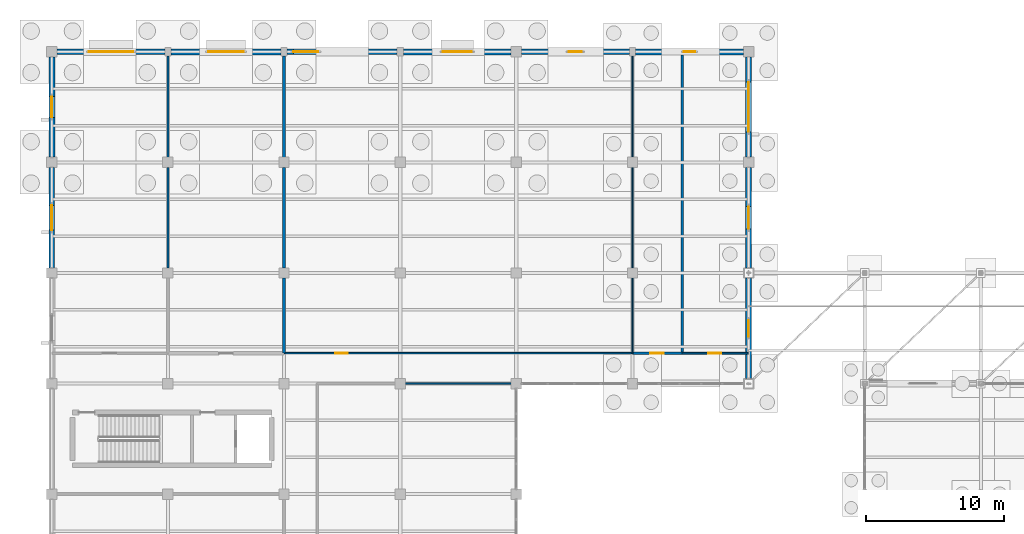
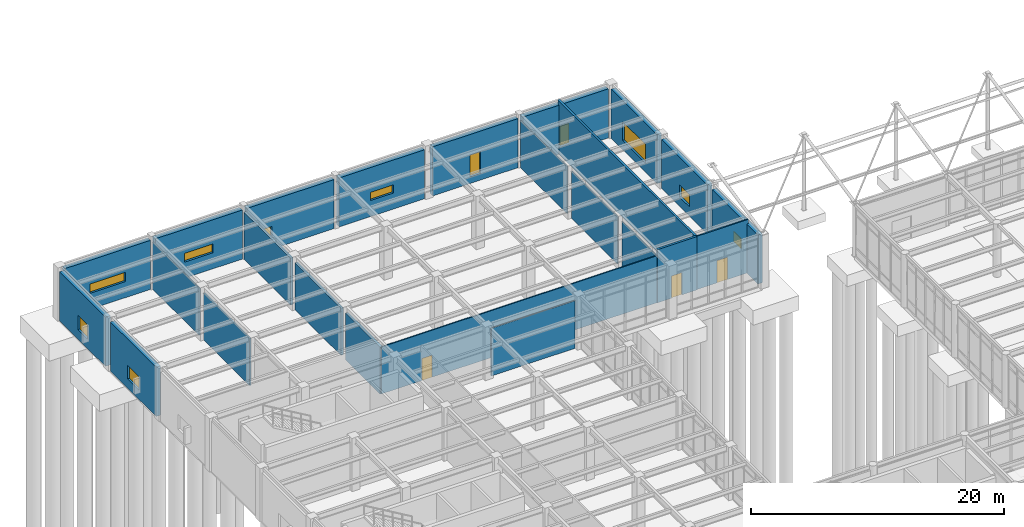
# One storey, part 82 of 138: 24 walls, 10 windows, 4 doors, 14 openings.
"""IFC4 building model written with IfcOpenShell, lengths in metres."""

from ifc_helpers import new_model, si_unit, direction, frame, frame_2d, origin, place, context, subcontext, project, spatial, rectangle, extrude, material, layer, layer_set, type_object, element, fill, save


model = new_model("IFC4")

# Units and contexts
model_context = context("Model", 3, precision=1e-05, world=origin(), true_north=direction((0.0, 1.0)))
body_context = subcontext(model_context, "Body", "Model", "MODEL_VIEW")
ifc_project = project(units=[si_unit("LENGTHUNIT", "METRE"), si_unit("AREAUNIT", "SQUARE_METRE"), si_unit("VOLUMEUNIT", "CUBIC_METRE"), si_unit("PLANEANGLEUNIT", "RADIAN"), si_unit("MASSUNIT", "GRAM", prefix="KILO")], contexts=[model_context])

# Site, building, storey
site_placement = place(None, origin())
site = spatial("IfcSite", under=ifc_project, at=site_placement, CompositionType="ELEMENT")
building_placement = place(site_placement, origin())
building = spatial("IfcBuilding", under=site, at=building_placement, Name="Kranzveld Transit Interchange", CompositionType="ELEMENT")
storey_placement = place(building_placement, origin())
storey = spatial("IfcBuildingStorey", under=building, at=storey_placement, Name="L00", CompositionType="ELEMENT", Elevation=0.0)

# Wall, opening, window
ifc_material_1 = material(Name="Dark Pretoria clinker clay plinth brick, 40 MPa", Category="masonry")
ifc_layer_1 = layer(ifc_material_1, 0.409912109375)
ifc_layer_set_1 = layer_set([ifc_layer_1], Name="Dark Pretoria clinker clay plinth brick, 40 MPa")
wall_type_1 = type_object("IfcWallType", Name="Exterior Arcade Wall Dark Clinker 410", PredefinedType="SOLIDWALL", material=ifc_layer_set_1)
wall_1_placement = place(storey_placement, frame((0.0, 96.375, 0.0), z_axis=(0.0, 0.0, 1.0), x_axis=(0.0, 1.0, 0.0)))
wall_1 = element("IfcWall", 1, at=wall_1_placement, inside=storey, type_object=wall_type_1, Name="L00 Clinker Facade Wall 01/N-01/P", PredefinedType="SOLIDWALL", context=body_context, shape_type="SweptSolid", body=[
    extrude(rectangle(XDim=7.25, YDim=0.409912109375, at=frame_2d((3.625, 0.0))), origin(), (0.0, 0.0, 1.0), 4.747314453125),
])
opening_1_placement = place(wall_1_placement, frame((2.72509765625, 0.0, 0.89990234375), z_axis=(0.0, 0.0, 1.0), x_axis=(1.0, 0.0, 0.0)))
opening_1 = element("IfcOpeningElement", 2, at=opening_1_placement, cuts=wall_1, Name="Opening W-12", PredefinedType="OPENING", context=body_context, shape_type="SweptSolid", body=[
    extrude(rectangle(XDim=1.800048828125, YDim=1.300048828125, at=frame_2d((0.89990234375, 0.64990234375))), frame((0.0, 0.21484375, 0.0), z_axis=(0.0, -1.0, 0.0), x_axis=(1.0, 0.0, 0.0)), (0.0, 0.0, 1.0), 0.429931640625),
])
ifc_material_2 = material(Name="Solar-control double glazing", Category="glass")
window_type_1 = type_object("IfcWindowType", Name="Window Studio Double 1800x1300", PartitioningType="DOUBLE_PANEL_VERTICAL", PredefinedType="WINDOW", material=ifc_material_2)
window_1_placement = place(opening_1_placement, origin())
window_1 = element("IfcWindow", 3, at=window_1_placement, inside=storey, type_object=window_type_1, Name="L00 Facade Window 01/N", OverallHeight=1.300048828125, OverallWidth=1.800048828125, PartitioningType="DOUBLE_PANEL_VERTICAL", PredefinedType="WINDOW", context=body_context, shape_type="SweptSolid", body=[
    extrude(rectangle(XDim=1.800048828125, YDim=1.300048828125, at=frame_2d((0.89990234375, 0.64990234375))), frame((0.0, 0.030029296875, 0.0), z_axis=(0.0, -1.0, 0.0), x_axis=(1.0, 0.0, 0.0)), (0.0, 0.0, 1.0), 0.06005859375),
])
fill(opening_1, window_1)

wall_2_placement = place(storey_placement, frame((0.375, 112.0, 0.0), z_axis=(0.0, 0.0, 1.0), x_axis=(1.0, 0.0, 0.0)))
wall_2 = element("IfcWall", 4, at=wall_2_placement, inside=storey, type_object=wall_type_1, Name="L00 Clinker Facade Wall 01/Q-02/Q", PredefinedType="SOLIDWALL", context=body_context, shape_type="SweptSolid", body=[
    extrude(rectangle(XDim=7.800048828125, YDim=0.409912109375, at=frame_2d((3.89990234375, 0.0))), origin(), (0.0, 0.0, 1.0), 4.740478515625),
])
opening_2_placement = place(wall_2_placement, frame((2.300048828125, 0.0, 1.550048828125), z_axis=(0.0, 0.0, 1.0), x_axis=(1.0, 0.0, 0.0)))
opening_2 = element("IfcOpeningElement", 5, at=opening_2_placement, cuts=wall_2, Name="Opening W-14", PredefinedType="OPENING", context=body_context, shape_type="SweptSolid", body=[
    extrude(rectangle(XDim=3.199951171875, YDim=0.89990234375, at=frame_2d((1.60009765625, 0.449951171875))), frame((0.0, 0.21484375, 0.0), z_axis=(0.0, -1.0, 0.0), x_axis=(1.0, 0.0, 0.0)), (0.0, 0.0, 1.0), 0.429931640625),
])
ifc_material_3 = material(Name="Solar-control double glazing", Category="glass")
window_type_2 = type_object("IfcWindowType", Name="Window Clerestory 3200x900", PartitioningType="TRIPLE_PANEL_HORIZONTAL", PredefinedType="WINDOW", material=ifc_material_3)
window_2_placement = place(opening_2_placement, origin())
window_2 = element("IfcWindow", 6, at=window_2_placement, inside=storey, type_object=window_type_2, Name="L00 Facade Window 01/Q", OverallHeight=0.89990234375, OverallWidth=3.199951171875, PartitioningType="TRIPLE_PANEL_HORIZONTAL", PredefinedType="WINDOW", context=body_context, shape_type="SweptSolid", body=[
    extrude(rectangle(XDim=3.199951171875, YDim=0.89990234375, at=frame_2d((1.60009765625, 0.449951171875))), frame((0.0, 0.030029296875, 0.0), z_axis=(0.0, -1.0, 0.0), x_axis=(1.0, 0.0, 0.0)), (0.0, 0.0, 1.0), 0.06005859375),
])
fill(opening_2, window_2)

# Wall, opening, door
wall_3_placement = place(storey_placement, frame((17.02490234375, 112.0, 0.0), z_axis=(0.0, 0.0, 1.0), x_axis=(1.0, 0.0, 0.0)))
wall_3 = element("IfcWall", 7, at=wall_3_placement, inside=storey, type_object=wall_type_1, Name="L00 Clinker Facade Wall 03/Q-04/Q", PredefinedType="SOLIDWALL", context=body_context, shape_type="SweptSolid", body=[
    extrude(rectangle(XDim=7.9501953125, YDim=0.409912109375, at=frame_2d((3.97509765625, 0.0))), origin(), (0.0, 0.0, 1.0), 4.740478515625),
])
opening_3_placement = place(wall_3_placement, frame((0.449951171875, 0.0, 0.0), z_axis=(0.0, 0.0, 1.0), x_axis=(1.0, 0.0, 0.0)))
opening_3 = element("IfcOpeningElement", 8, at=opening_3_placement, cuts=wall_3, Name="Opening ED-00-03", PredefinedType="OPENING", context=body_context, shape_type="SweptSolid", body=[
    extrude(rectangle(XDim=1.800048828125, YDim=2.199951171875, at=frame_2d((0.89990234375, 1.10009765625))), frame((0.0, 0.21484375, 0.0), z_axis=(0.0, -1.0, 0.0), x_axis=(1.0, 0.0, 0.0)), (0.0, 0.0, 1.0), 0.429931640625),
])
ifc_material_4 = material(Name="Bronze-anodised thermally broken aluminium", Category="aluminium")
door_type_1 = type_object("IfcDoorType", Name="Final Exit Double Fire Door 1800x2200 FD60S", OperationType="NOTDEFINED", PredefinedType="DOOR", material=ifc_material_4)
door_1_placement = place(opening_3_placement, origin())
door_1 = element("IfcDoor", 9, at=door_1_placement, inside=storey, type_object=door_type_1, Name="L00 Entrance/Exit Door 03/Q", OperationType="DOUBLE_DOOR_SINGLE_SWING", OverallHeight=2.199951171875, OverallWidth=1.800048828125, PredefinedType="DOOR", context=body_context, shape_type="SweptSolid", body=[
    extrude(rectangle(XDim=1.800048828125, YDim=2.199951171875, at=frame_2d((0.89990234375, 1.10009765625))), frame((0.0, 0.02490234375, 0.0), z_axis=(0.0, -1.0, 0.0), x_axis=(1.0, 0.0, 0.0)), (0.0, 0.0, 1.0), 0.050048828125),
])
fill(opening_3, door_1)

# Wall, opening, window
wall_4_placement = place(storey_placement, frame((33.97509765625, 112.0, 0.0), z_axis=(0.0, 0.0, 1.0), x_axis=(1.0, 0.0, 0.0)))
wall_4 = element("IfcWall", 10, at=wall_4_placement, inside=storey, type_object=wall_type_1, Name="L00 Clinker Facade Wall 05/Q-06/Q", PredefinedType="SOLIDWALL", context=body_context, shape_type="SweptSolid", body=[
    extrude(rectangle(XDim=7.7998046875, YDim=0.409912109375, at=frame_2d((3.89990234375, 0.0))), origin(), (0.0, 0.0, 1.0), 4.740478515625),
])
opening_4_placement = place(wall_4_placement, frame((3.425048828125, 0.0, 0.64990234375), z_axis=(0.0, 0.0, 1.0), x_axis=(1.0, 0.0, 0.0)))
opening_4 = element("IfcOpeningElement", 11, at=opening_4_placement, cuts=wall_4, Name="Opening W-17", PredefinedType="OPENING", context=body_context, shape_type="SweptSolid", body=[
    extrude(rectangle(XDim=0.949951171875, YDim=2.10009765625, at=frame_2d((0.47509765625, 1.050048828125))), frame((0.0, 0.21484375, 0.0), z_axis=(0.0, -1.0, 0.0), x_axis=(1.0, 0.0, 0.0)), (0.0, 0.0, 1.0), 0.429931640625),
])
ifc_material_5 = material(Name="Solar-control double glazing", Category="glass")
window_type_3 = type_object("IfcWindowType", Name="Window Ladder Slot 950x2100", PartitioningType="SINGLE_PANEL", PredefinedType="WINDOW", material=ifc_material_5)
window_3_placement = place(opening_4_placement, origin())
window_3 = element("IfcWindow", 12, at=window_3_placement, inside=storey, type_object=window_type_3, Name="L00 Facade Window 05/Q", OverallHeight=2.10009765625, OverallWidth=0.949951171875, PartitioningType="SINGLE_PANEL", PredefinedType="WINDOW", context=body_context, shape_type="SweptSolid", body=[
    extrude(rectangle(XDim=0.949951171875, YDim=2.10009765625, at=frame_2d((0.47509765625, 1.050048828125))), frame((0.0, 0.030029296875, 0.0), z_axis=(0.0, -1.0, 0.0), x_axis=(1.0, 0.0, 0.0)), (0.0, 0.0, 1.0), 0.06005859375),
])
fill(opening_4, window_3)

wall_5_placement = place(storey_placement, frame((50.39990234375, 88.375, 0.0), z_axis=(0.0, 0.0, 1.0), x_axis=(0.0, 1.0, 0.0)))
wall_5 = element("IfcWall", 13, at=wall_5_placement, inside=storey, type_object=wall_type_1, Name="L00 Clinker Facade Wall 07/M-07/N", PredefinedType="SOLIDWALL", context=body_context, shape_type="SweptSolid", body=[
    extrude(rectangle(XDim=7.25, YDim=0.409912109375, at=frame_2d((3.625, 0.0))), origin(), (0.0, 0.0, 1.0), 4.747314453125),
])
opening_5_placement = place(wall_5_placement, frame((3.02490234375, 0.0, 1.550048828125), z_axis=(0.0, 0.0, 1.0), x_axis=(1.0, 0.0, 0.0)))
opening_5 = element("IfcOpeningElement", 14, at=opening_5_placement, cuts=wall_5, Name="Opening W-19", PredefinedType="OPENING", context=body_context, shape_type="SweptSolid", body=[
    extrude(rectangle(XDim=1.199951171875, YDim=0.949951171875, at=frame_2d((0.60009765625, 0.47509765625))), frame((0.0, 0.21484375, 0.0), z_axis=(0.0, -1.0, 0.0), x_axis=(1.0, 0.0, 0.0)), (0.0, 0.0, 1.0), 0.429931640625),
])
ifc_material_6 = material(Name="Solar-control double glazing", Category="glass")
window_type_4 = type_object("IfcWindowType", Name="Window Sanitary Frosted 1200x950", PartitioningType="SINGLE_PANEL", PredefinedType="WINDOW", material=ifc_material_6)
window_4_placement = place(opening_5_placement, origin())
window_4 = element("IfcWindow", 15, at=window_4_placement, inside=storey, type_object=window_type_4, Name="L00 Facade Window 07/M", OverallHeight=0.949951171875, OverallWidth=1.199951171875, PartitioningType="SINGLE_PANEL", PredefinedType="WINDOW", context=body_context, shape_type="SweptSolid", body=[
    extrude(rectangle(XDim=1.199951171875, YDim=0.949951171875, at=frame_2d((0.60009765625, 0.47509765625))), frame((0.0, 0.030029296875, 0.0), z_axis=(0.0, -1.0, 0.0), x_axis=(1.0, 0.0, 0.0)), (0.0, 0.0, 1.0), 0.06005859375),
])
fill(opening_5, window_4)

wall_6_placement = place(storey_placement, frame((50.39990234375, 104.375, 0.0), z_axis=(0.0, 0.0, 1.0), x_axis=(0.0, 1.0, 0.0)))
wall_6 = element("IfcWall", 16, at=wall_6_placement, inside=storey, type_object=wall_type_1, Name="L00 Clinker Facade Wall 07/P-07/Q", PredefinedType="SOLIDWALL", context=body_context, shape_type="SweptSolid", body=[
    extrude(rectangle(XDim=7.25, YDim=0.409912109375, at=frame_2d((3.625, 0.0))), origin(), (0.0, 0.0, 1.0), 4.747314453125),
])
opening_6_placement = place(wall_6_placement, frame((1.824951171875, 0.0, 0.89990234375), z_axis=(0.0, 0.0, 1.0), x_axis=(1.0, 0.0, 0.0)))
opening_6 = element("IfcOpeningElement", 17, at=opening_6_placement, cuts=wall_6, Name="Opening W-01", PredefinedType="OPENING", context=body_context, shape_type="SweptSolid", body=[
    extrude(rectangle(XDim=3.60009765625, YDim=1.800048828125, at=frame_2d((1.800048828125, 0.89990234375))), frame((0.0, 0.21484375, 0.0), z_axis=(0.0, -1.0, 0.0), x_axis=(1.0, 0.0, 0.0)), (0.0, 0.0, 1.0), 0.429931640625),
])
ifc_material_7 = material(Name="Solar-control double glazing", Category="glass")
window_type_5 = type_object("IfcWindowType", Name="Window Ribbon Triple 3600x1800", PartitioningType="TRIPLE_PANEL_VERTICAL", PredefinedType="WINDOW", material=ifc_material_7)
window_5_placement = place(opening_6_placement, origin())
window_5 = element("IfcWindow", 18, at=window_5_placement, inside=storey, type_object=window_type_5, Name="L00 Facade Window 07/P", OverallHeight=1.800048828125, OverallWidth=3.60009765625, PartitioningType="TRIPLE_PANEL_VERTICAL", PredefinedType="WINDOW", context=body_context, shape_type="SweptSolid", body=[
    extrude(rectangle(XDim=3.60009765625, YDim=1.800048828125, at=frame_2d((1.800048828125, 0.89990234375))), frame((0.0, 0.030029296875, 0.0), z_axis=(0.0, -1.0, 0.0), x_axis=(1.0, 0.0, 0.0)), (0.0, 0.0, 1.0), 0.06005859375),
])
fill(opening_6, window_5)

ifc_material_8 = material(Name="Dark Pretoria clinker clay plinth brick, 40 MPa", Category="masonry")
ifc_layer_2 = layer(ifc_material_8, 0.43994140625)
ifc_layer_set_2 = layer_set([ifc_layer_2], Name="Dark Pretoria clinker clay plinth brick, 40 MPa")
wall_type_2 = type_object("IfcWallType", Name="Exterior Plinth Wall Dark Clinker 440", PredefinedType="SOLIDWALL", material=ifc_layer_set_2)
wall_7_placement = place(storey_placement, frame((0.0, 104.375, 0.0), z_axis=(0.0, 0.0, 1.0), x_axis=(0.0, 1.0, 0.0)))
wall_7 = element("IfcWall", 19, at=wall_7_placement, inside=storey, type_object=wall_type_2, Name="L00 Clinker Facade Wall 01/P-01/Q", PredefinedType="SOLIDWALL", context=body_context, shape_type="SweptSolid", body=[
    extrude(rectangle(XDim=7.25, YDim=0.43994140625, at=frame_2d((3.625, 0.0))), origin(), (0.0, 0.0, 1.0), 4.747314453125),
])
opening_7_placement = place(wall_7_placement, frame((2.875, 0.0, 0.89990234375), z_axis=(0.0, 0.0, 1.0), x_axis=(1.0, 0.0, 0.0)))
opening_7 = element("IfcOpeningElement", 20, at=opening_7_placement, cuts=wall_7, Name="Opening W-13", PredefinedType="OPENING", context=body_context, shape_type="SweptSolid", body=[
    extrude(rectangle(XDim=1.5, YDim=1.39990234375, at=frame_2d((0.75, 0.699951171875))), frame((0.0, 0.22998046875, 0.0), z_axis=(0.0, -1.0, 0.0), x_axis=(1.0, 0.0, 0.0)), (0.0, 0.0, 1.0), 0.4599609375),
])
ifc_material_9 = material(Name="Solar-control double glazing", Category="glass")
window_type_6 = type_object("IfcWindowType", Name="Window Studio Single 1500x1400", PartitioningType="SINGLE_PANEL", PredefinedType="WINDOW", material=ifc_material_9)
window_6_placement = place(opening_7_placement, origin())
window_6 = element("IfcWindow", 21, at=window_6_placement, inside=storey, type_object=window_type_6, Name="L00 Facade Window 01/P", OverallHeight=1.39990234375, OverallWidth=1.5, PartitioningType="SINGLE_PANEL", PredefinedType="WINDOW", context=body_context, shape_type="SweptSolid", body=[
    extrude(rectangle(XDim=1.5, YDim=1.39990234375, at=frame_2d((0.75, 0.699951171875))), frame((0.0, 0.030029296875, 0.0), z_axis=(0.0, -1.0, 0.0), x_axis=(1.0, 0.0, 0.0)), (0.0, 0.0, 1.0), 0.06005859375),
])
fill(opening_7, window_6)

wall_8_placement = place(storey_placement, frame((8.625, 112.0, 0.0), z_axis=(0.0, 0.0, 1.0), x_axis=(1.0, 0.0, 0.0)))
wall_8 = element("IfcWall", 22, at=wall_8_placement, inside=storey, type_object=wall_type_2, Name="L00 Clinker Facade Wall 02/Q-03/Q", PredefinedType="SOLIDWALL", context=body_context, shape_type="SweptSolid", body=[
    extrude(rectangle(XDim=7.949951171875, YDim=0.43994140625, at=frame_2d((3.97509765625, 0.0))), origin(), (0.0, 0.0, 1.0), 4.740478515625),
])
opening_8_placement = place(wall_8_placement, frame((2.675048828125, 0.0, 1.550048828125), z_axis=(0.0, 0.0, 1.0), x_axis=(1.0, 0.0, 0.0)))
opening_8 = element("IfcOpeningElement", 23, at=opening_8_placement, cuts=wall_8, Name="Opening W-15", PredefinedType="OPENING", context=body_context, shape_type="SweptSolid", body=[
    extrude(rectangle(XDim=2.60009765625, YDim=0.85009765625, at=frame_2d((1.300048828125, 0.425048828125))), frame((0.0, 0.22998046875, 0.0), z_axis=(0.0, -1.0, 0.0), x_axis=(1.0, 0.0, 0.0)), (0.0, 0.0, 1.0), 0.4599609375),
])
ifc_material_10 = material(Name="Solar-control double glazing", Category="glass")
window_type_7 = type_object("IfcWindowType", Name="Window Clerestory 2600x850", PartitioningType="DOUBLE_PANEL_HORIZONTAL", PredefinedType="WINDOW", material=ifc_material_10)
window_7_placement = place(opening_8_placement, origin())
window_7 = element("IfcWindow", 24, at=window_7_placement, inside=storey, type_object=window_type_7, Name="L00 Facade Window 02/Q", OverallHeight=0.85009765625, OverallWidth=2.60009765625, PartitioningType="DOUBLE_PANEL_HORIZONTAL", PredefinedType="WINDOW", context=body_context, shape_type="SweptSolid", body=[
    extrude(rectangle(XDim=2.60009765625, YDim=0.85009765625, at=frame_2d((1.300048828125, 0.425048828125))), frame((0.0, 0.030029296875, 0.0), z_axis=(0.0, -1.0, 0.0), x_axis=(1.0, 0.0, 0.0)), (0.0, 0.0, 1.0), 0.06005859375),
])
fill(opening_8, window_7)

wall_9_placement = place(storey_placement, frame((25.425048828125, 112.0, 0.0), z_axis=(0.0, 0.0, 1.0), x_axis=(1.0, 0.0, 0.0)))
wall_9 = element("IfcWall", 25, at=wall_9_placement, inside=storey, type_object=wall_type_2, Name="L00 Clinker Facade Wall 04/Q-05/Q", PredefinedType="SOLIDWALL", context=body_context, shape_type="SweptSolid", body=[
    extrude(rectangle(XDim=7.800048828125, YDim=0.43994140625, at=frame_2d((3.89990234375, 0.0))), origin(), (0.0, 0.0, 1.0), 4.740478515625),
])
opening_9_placement = place(wall_9_placement, frame((2.85009765625, 0.0, 1.550048828125), z_axis=(0.0, 0.0, 1.0), x_axis=(1.0, 0.0, 0.0)))
opening_9 = element("IfcOpeningElement", 26, at=opening_9_placement, cuts=wall_9, Name="Opening W-16", PredefinedType="OPENING", context=body_context, shape_type="SweptSolid", body=[
    extrude(rectangle(XDim=2.10009765625, YDim=0.800048828125, at=frame_2d((1.050048828125, 0.39990234375))), frame((0.0, 0.22998046875, 0.0), z_axis=(0.0, -1.0, 0.0), x_axis=(1.0, 0.0, 0.0)), (0.0, 0.0, 1.0), 0.4599609375),
])
ifc_material_11 = material(Name="Solar-control double glazing", Category="glass")
window_type_8 = type_object("IfcWindowType", Name="Window Clerestory 2100x800", PartitioningType="DOUBLE_PANEL_HORIZONTAL", PredefinedType="WINDOW", material=ifc_material_11)
window_8_placement = place(opening_9_placement, origin())
window_8 = element("IfcWindow", 27, at=window_8_placement, inside=storey, type_object=window_type_8, Name="L00 Facade Window 04/Q", OverallHeight=0.800048828125, OverallWidth=2.10009765625, PartitioningType="DOUBLE_PANEL_HORIZONTAL", PredefinedType="WINDOW", context=body_context, shape_type="SweptSolid", body=[
    extrude(rectangle(XDim=2.10009765625, YDim=0.800048828125, at=frame_2d((1.050048828125, 0.39990234375))), frame((0.0, 0.030029296875, 0.0), z_axis=(0.0, -1.0, 0.0), x_axis=(1.0, 0.0, 0.0)), (0.0, 0.0, 1.0), 0.06005859375),
])
fill(opening_9, window_8)

wall_10_placement = place(storey_placement, frame((42.22509765625, 112.0, 0.0), z_axis=(0.0, 0.0, 1.0), x_axis=(1.0, 0.0, 0.0)))
wall_10 = element("IfcWall", 28, at=wall_10_placement, inside=storey, type_object=wall_type_2, Name="L00 Clinker Facade Wall 06/Q-07/Q", PredefinedType="SOLIDWALL", context=body_context, shape_type="SweptSolid", body=[
    extrude(rectangle(XDim=7.7998046875, YDim=0.43994140625, at=frame_2d((3.89990234375, 0.0))), origin(), (0.0, 0.0, 1.0), 4.740478515625),
])
opening_10_placement = place(wall_10_placement, frame((3.5, 0.0, 0.64990234375), z_axis=(0.0, 0.0, 1.0), x_axis=(1.0, 0.0, 0.0)))
opening_10 = element("IfcOpeningElement", 29, at=opening_10_placement, cuts=wall_10, Name="Opening W-18", PredefinedType="OPENING", context=body_context, shape_type="SweptSolid", body=[
    extrude(rectangle(XDim=0.800048828125, YDim=1.85009765625, at=frame_2d((0.39990234375, 0.925048828125))), frame((0.0, 0.22998046875, 0.0), z_axis=(0.0, -1.0, 0.0), x_axis=(1.0, 0.0, 0.0)), (0.0, 0.0, 1.0), 0.4599609375),
])
ifc_material_12 = material(Name="Solar-control double glazing", Category="glass")
window_type_9 = type_object("IfcWindowType", Name="Window Ladder Slot 800x1850", PartitioningType="SINGLE_PANEL", PredefinedType="WINDOW", material=ifc_material_12)
window_9_placement = place(opening_10_placement, origin())
window_9 = element("IfcWindow", 30, at=window_9_placement, inside=storey, type_object=window_type_9, Name="L00 Facade Window 06/Q", OverallHeight=1.85009765625, OverallWidth=0.800048828125, PartitioningType="SINGLE_PANEL", PredefinedType="WINDOW", context=body_context, shape_type="SweptSolid", body=[
    extrude(rectangle(XDim=0.800048828125, YDim=1.85009765625, at=frame_2d((0.39990234375, 0.925048828125))), frame((0.0, 0.030029296875, 0.0), z_axis=(0.0, -1.0, 0.0), x_axis=(1.0, 0.0, 0.0)), (0.0, 0.0, 1.0), 0.06005859375),
])
fill(opening_10, window_9)

wall_11_placement = place(storey_placement, frame((50.39990234375, 96.375, 0.0), z_axis=(0.0, 0.0, 1.0), x_axis=(0.0, 1.0, 0.0)))
wall_11 = element("IfcWall", 31, at=wall_11_placement, inside=storey, type_object=wall_type_2, Name="L00 Clinker Facade Wall 07/N-07/P", PredefinedType="SOLIDWALL", context=body_context, shape_type="SweptSolid", body=[
    extrude(rectangle(XDim=7.25, YDim=0.43994140625, at=frame_2d((3.625, 0.0))), origin(), (0.0, 0.0, 1.0), 4.747314453125),
])
opening_11_placement = place(wall_11_placement, frame((2.824951171875, 0.0, 0.89990234375), z_axis=(0.0, 0.0, 1.0), x_axis=(1.0, 0.0, 0.0)))
opening_11 = element("IfcOpeningElement", 32, at=opening_11_placement, cuts=wall_11, Name="Opening W-20", PredefinedType="OPENING", context=body_context, shape_type="SweptSolid", body=[
    extrude(rectangle(XDim=1.60009765625, YDim=1.199951171875, at=frame_2d((0.800048828125, 0.60009765625))), frame((0.0, 0.22998046875, 0.0), z_axis=(0.0, -1.0, 0.0), x_axis=(1.0, 0.0, 0.0)), (0.0, 0.0, 1.0), 0.4599609375),
])
ifc_material_13 = material(Name="Solar-control double glazing", Category="glass")
window_type_10 = type_object("IfcWindowType", Name="Window Technical Glazed 1600x1200", PartitioningType="DOUBLE_PANEL_VERTICAL", PredefinedType="WINDOW", material=ifc_material_13)
window_10_placement = place(opening_11_placement, origin())
window_10 = element("IfcWindow", 33, at=window_10_placement, inside=storey, type_object=window_type_10, Name="L00 Facade Window 07/N", OverallHeight=1.199951171875, OverallWidth=1.60009765625, PartitioningType="DOUBLE_PANEL_VERTICAL", PredefinedType="WINDOW", context=body_context, shape_type="SweptSolid", body=[
    extrude(rectangle(XDim=1.60009765625, YDim=1.199951171875, at=frame_2d((0.800048828125, 0.60009765625))), frame((0.0, 0.030029296875, 0.0), z_axis=(0.0, -1.0, 0.0), x_axis=(1.0, 0.0, 0.0)), (0.0, 0.0, 1.0), 0.06005859375),
])
fill(opening_11, window_10)

# Walls
ifc_material_14 = material(Name="Clay masonry unit wall, 20 MPa", Category="masonry")
ifc_layer_3 = layer(ifc_material_14, 0.22998046875)
ifc_layer_set_3 = layer_set([ifc_layer_3], Name="Clay masonry unit wall, 20 MPa")
wall_type_3 = type_object("IfcWallType", Name="Fire Compartment Wall Masonry 230 EI120", PredefinedType="PARTITIONING", material=ifc_layer_set_3)
wall_12_placement = place(storey_placement, frame((16.800048828125, 90.199951171875, 0.0), z_axis=(0.0, 0.0, 1.0), x_axis=(0.0, 1.0, 0.0)))
element("IfcWall", 34, at=wall_12_placement, inside=storey, type_object=wall_type_3, Name="L00 Partition IW-L00-L00V5N-E-033-0", PredefinedType="PARTITIONING", context=body_context, shape_type="SweptSolid", body=[
    extrude(rectangle(XDim=5.43505859375, YDim=0.22998046875, at=frame_2d((2.717529296875, 0.0))), origin(), (0.0, 0.0, 1.0), 4.54248046875),
])
wall_13_placement = place(storey_placement, frame((16.800048828125, 96.364990234375, 0.0), z_axis=(0.0, 0.0, 1.0), x_axis=(0.0, 1.0, 0.0)))
element("IfcWall", 35, at=wall_13_placement, inside=storey, type_object=wall_type_3, Name="L00 Partition IW-L00-L00V5N-E-033-1", PredefinedType="PARTITIONING", context=body_context, shape_type="SweptSolid", body=[
    extrude(rectangle(XDim=7.27001953125, YDim=0.22998046875, at=frame_2d((3.635009765625, 0.0))), origin(), (0.0, 0.0, 1.0), 4.54248046875),
])
wall_14_placement = place(storey_placement, frame((16.800048828125, 104.364990234375, 0.0), z_axis=(0.0, 0.0, 1.0), x_axis=(0.0, 1.0, 0.0)))
element("IfcWall", 36, at=wall_14_placement, inside=storey, type_object=wall_type_3, Name="L00 Partition IW-L00-L00V5N-E-033-2", PredefinedType="PARTITIONING", context=body_context, shape_type="SweptSolid", body=[
    extrude(rectangle(XDim=7.344970703125, YDim=0.22998046875, at=frame_2d((3.67236328125, 0.0))), origin(), (0.0, 0.0, 1.0), 4.54248046875),
])

# Wall, opening, door
ifc_material_15 = material(Name="Clay masonry unit wall, 20 MPa", Category="masonry")
ifc_layer_4 = layer(ifc_material_15, 0.125)
ifc_layer_set_4 = layer_set([ifc_layer_4], Name="Clay masonry unit wall, 20 MPa")
wall_type_4 = type_object("IfcWallType", Name="Internal Blockwork Partition 125", PredefinedType="PARTITIONING", material=ifc_layer_set_4)
wall_15_placement = place(storey_placement, frame((45.60009765625, 90.199951171875, 0.0), z_axis=(0.0, 0.0, 1.0), x_axis=(1.0, 0.0, 0.0)))
wall_15 = element("IfcWall", 37, at=wall_15_placement, inside=storey, type_object=wall_type_4, Name="L00 Partition IW-L00-L00V5NWC-ADJ-043-0", PredefinedType="PARTITIONING", context=body_context, shape_type="SweptSolid", body=[
    extrude(rectangle(XDim=4.760009765625, YDim=0.125, at=frame_2d((2.3798828125, 0.0))), origin(), (0.0, 0.0, 1.0), 5.14990234375),
])
opening_12_placement = place(wall_15_placement, frame((1.8798828125, 0.0, 0.0), z_axis=(0.0, 0.0, 1.0), x_axis=(1.0, 0.0, 0.0)))
opening_12 = element("IfcOpeningElement", 38, at=opening_12_placement, cuts=wall_15, Name="Opening D-043", PredefinedType="OPENING", context=body_context, shape_type="SweptSolid", body=[
    extrude(rectangle(XDim=0.949951171875, YDim=2.14990234375, at=frame_2d((0.47509765625, 1.074951171875))), frame((0.0, 0.072509765625, 0.0), z_axis=(0.0, -1.0, 0.0), x_axis=(1.0, 0.0, 0.0)), (0.0, 0.0, 1.0), 0.14501953125),
])
ifc_material_16 = material(Name="Bronze-anodised thermally broken aluminium", Category="aluminium")
door_type_2 = type_object("IfcDoorType", Name="Internal Office Door 950x2150", OperationType="NOTDEFINED", PredefinedType="DOOR", material=ifc_material_16)
door_2_placement = place(opening_12_placement, origin())
door_2 = element("IfcDoor", 39, at=door_2_placement, inside=storey, type_object=door_type_2, Name="L00 Interior Door D-043", OperationType="SINGLE_SWING_RIGHT", OverallHeight=2.14990234375, OverallWidth=0.949951171875, PredefinedType="DOOR", context=body_context, shape_type="SweptSolid", body=[
    extrude(rectangle(XDim=0.949951171875, YDim=2.14990234375, at=frame_2d((0.47509765625, 1.074951171875))), frame((0.0, 0.02490234375, 0.0), z_axis=(0.0, -1.0, 0.0), x_axis=(1.0, 0.0, 0.0)), (0.0, 0.0, 1.0), 0.050048828125),
])
fill(opening_12, door_2)

# Walls
wall_16_placement = place(storey_placement, frame((8.39990234375, 96.364990234375, 0.0), z_axis=(0.0, 0.0, 1.0), x_axis=(0.0, 1.0, 0.0)))
element("IfcWall", 40, at=wall_16_placement, inside=storey, type_object=wall_type_4, Name="L00 Partition IW-L00-L00V5N-E-032-1", PredefinedType="PARTITIONING", context=body_context, shape_type="SweptSolid", body=[
    extrude(rectangle(XDim=7.27001953125, YDim=0.125, at=frame_2d((3.635009765625, 0.0))), origin(), (0.0, 0.0, 1.0), 4.54248046875),
])
wall_17_placement = place(storey_placement, frame((8.39990234375, 104.364990234375, 0.0), z_axis=(0.0, 0.0, 1.0), x_axis=(0.0, 1.0, 0.0)))
element("IfcWall", 41, at=wall_17_placement, inside=storey, type_object=wall_type_4, Name="L00 Partition IW-L00-L00V5N-E-032-2", PredefinedType="PARTITIONING", context=body_context, shape_type="SweptSolid", body=[
    extrude(rectangle(XDim=7.344970703125, YDim=0.125, at=frame_2d((3.67236328125, 0.0))), origin(), (0.0, 0.0, 1.0), 4.54248046875),
])
ifc_material_17 = material(Name="Clay masonry unit wall, 20 MPa", Category="masonry")
ifc_layer_5 = layer(ifc_material_17, 0.114990234375)
ifc_layer_set_5 = layer_set([ifc_layer_5], Name="Clay masonry unit wall, 20 MPa")
wall_type_5 = type_object("IfcWallType", Name="Internal Masonry Partition 115", PredefinedType="PARTITIONING", material=ifc_layer_set_5)
wall_18_placement = place(storey_placement, frame((25.56494140625, 88.0, 0.0), z_axis=(0.0, 0.0, 1.0), x_axis=(1.0, 0.0, 0.0)))
element("IfcWall", 42, at=wall_18_placement, inside=storey, type_object=wall_type_5, Name="L00 Partition IW-L00-L00V5E-N-037-1", PredefinedType="PARTITIONING", context=body_context, shape_type="SweptSolid", body=[
    extrude(rectangle(XDim=7.670166015625, YDim=0.114990234375, at=frame_2d((3.8349609375, 0.0))), origin(), (0.0, 0.0, 1.0), 4.60546875),
])

# Wall, opening, door
ifc_material_18 = material(Name="Clay masonry unit wall, 20 MPa", Category="masonry")
ifc_layer_6 = layer(ifc_material_18, 0.10009765625)
ifc_layer_set_6 = layer_set([ifc_layer_6], Name="Clay masonry unit wall, 20 MPa")
wall_type_6 = type_object("IfcWallType", Name="Lightweight Drywall Partition 100", PredefinedType="PARTITIONING", material=ifc_layer_set_6)
wall_19_placement = place(storey_placement, frame((16.800048828125, 90.199951171875, 0.0), z_axis=(0.0, 0.0, 1.0), x_axis=(1.0, 0.0, 0.0)))
wall_19 = element("IfcWall", 43, at=wall_19_placement, inside=storey, type_object=wall_type_6, Name="L00 Partition IW-L00-L00V5N-FRT-034-0", PredefinedType="PARTITIONING", context=body_context, shape_type="SweptSolid", body=[
    extrude(rectangle(XDim=25.199951171875, YDim=0.10009765625, at=frame_2d((12.60009765625, 0.0))), origin(), (0.0, 0.0, 1.0), 4.54248046875),
])
opening_13_placement = place(wall_19_placement, frame((3.699951171875, 0.0, 0.0), z_axis=(0.0, 0.0, 1.0), x_axis=(1.0, 0.0, 0.0)))
opening_13 = element("IfcOpeningElement", 44, at=opening_13_placement, cuts=wall_19, Name="Opening D-034", PredefinedType="OPENING", context=body_context, shape_type="SweptSolid", body=[
    extrude(rectangle(XDim=0.919921875, YDim=2.1201171875, at=frame_2d((0.4599609375, 1.06005859375))), frame((0.0, 0.06005859375, 0.0), z_axis=(0.0, -1.0, 0.0), x_axis=(1.0, 0.0, 0.0)), (0.0, 0.0, 1.0), 0.1201171875),
])
ifc_material_19 = material(Name="Bronze-anodised thermally broken aluminium", Category="aluminium")
door_type_3 = type_object("IfcDoorType", Name="Consulting Room Door 920x2120", OperationType="NOTDEFINED", PredefinedType="DOOR", material=ifc_material_19)
door_3_placement = place(opening_13_placement, origin())
door_3 = element("IfcDoor", 45, at=door_3_placement, inside=storey, type_object=door_type_3, Name="L00 Interior Door D-034", OperationType="SINGLE_SWING_LEFT", OverallHeight=2.1201171875, OverallWidth=0.919921875, PredefinedType="DOOR", context=body_context, shape_type="SweptSolid", body=[
    extrude(rectangle(XDim=0.919921875, YDim=2.1201171875, at=frame_2d((0.4599609375, 1.06005859375))), frame((0.0, 0.02490234375, 0.0), z_axis=(0.0, -1.0, 0.0), x_axis=(1.0, 0.0, 0.0)), (0.0, 0.0, 1.0), 0.050048828125),
])
fill(opening_13, door_3)

# Walls
wall_20_placement = place(storey_placement, frame((42.0, 90.199951171875, 0.0), z_axis=(0.0, 0.0, 1.0), x_axis=(0.0, 1.0, 0.0)))
element("IfcWall", 46, at=wall_20_placement, inside=storey, type_object=wall_type_6, Name="L00 Partition IW-L00-L00V5N-E-034-0", PredefinedType="PARTITIONING", context=body_context, shape_type="SweptSolid", body=[
    extrude(rectangle(XDim=5.43505859375, YDim=0.10009765625, at=frame_2d((2.717529296875, 0.0))), origin(), (0.0, 0.0, 1.0), 4.54248046875),
])
wall_21_placement = place(storey_placement, frame((42.0, 96.364990234375, 0.0), z_axis=(0.0, 0.0, 1.0), x_axis=(0.0, 1.0, 0.0)))
element("IfcWall", 47, at=wall_21_placement, inside=storey, type_object=wall_type_6, Name="L00 Partition IW-L00-L00V5N-E-034-1", PredefinedType="PARTITIONING", context=body_context, shape_type="SweptSolid", body=[
    extrude(rectangle(XDim=7.27001953125, YDim=0.10009765625, at=frame_2d((3.635009765625, 0.0))), origin(), (0.0, 0.0, 1.0), 4.54248046875),
])
wall_22_placement = place(storey_placement, frame((42.0, 104.364990234375, 0.0), z_axis=(0.0, 0.0, 1.0), x_axis=(0.0, 1.0, 0.0)))
element("IfcWall", 48, at=wall_22_placement, inside=storey, type_object=wall_type_6, Name="L00 Partition IW-L00-L00V5N-E-034-2", PredefinedType="PARTITIONING", context=body_context, shape_type="SweptSolid", body=[
    extrude(rectangle(XDim=7.344970703125, YDim=0.10009765625, at=frame_2d((3.67236328125, 0.0))), origin(), (0.0, 0.0, 1.0), 4.54248046875),
])

# Wall, opening, door
ifc_material_20 = material(Name="Clay masonry unit wall, 20 MPa", Category="masonry")
ifc_layer_7 = layer(ifc_material_20, 0.18994140625)
ifc_layer_set_7 = layer_set([ifc_layer_7], Name="Clay masonry unit wall, 20 MPa")
wall_type_7 = type_object("IfcWallType", Name="Sanitary Plumbing Wall 190", PredefinedType="PLUMBINGWALL", material=ifc_layer_set_7)
wall_23_placement = place(storey_placement, frame((42.0, 90.199951171875, 0.0), z_axis=(0.0, 0.0, 1.0), x_axis=(1.0, 0.0, 0.0)))
wall_23 = element("IfcWall", 49, at=wall_23_placement, inside=storey, type_object=wall_type_7, Name="L00 Partition IW-L00-L00V5NWC-WC-035-0", PredefinedType="PLUMBINGWALL", context=body_context, shape_type="SweptSolid", body=[
    extrude(rectangle(XDim=3.60009765625, YDim=0.18994140625, at=frame_2d((1.800048828125, 0.0))), origin(), (0.0, 0.0, 1.0), 5.14990234375),
])
opening_14_placement = place(wall_23_placement, frame((1.300048828125, 0.0, 0.0), z_axis=(0.0, 0.0, 1.0), x_axis=(1.0, 0.0, 0.0)))
opening_14 = element("IfcOpeningElement", 50, at=opening_14_placement, cuts=wall_23, Name="Opening D-035", PredefinedType="OPENING", context=body_context, shape_type="SweptSolid", body=[
    extrude(rectangle(XDim=0.949951171875, YDim=2.14990234375, at=frame_2d((0.47509765625, 1.074951171875))), frame((0.0, 0.10498046875, 0.0), z_axis=(0.0, -1.0, 0.0), x_axis=(1.0, 0.0, 0.0)), (0.0, 0.0, 1.0), 0.2099609375),
])
ifc_material_21 = material(Name="Bronze-anodised thermally broken aluminium", Category="aluminium")
door_type_4 = type_object("IfcDoorType", Name="Accessible WC Door 950x2150", OperationType="NOTDEFINED", PredefinedType="DOOR", material=ifc_material_21)
door_4_placement = place(opening_14_placement, origin())
door_4 = element("IfcDoor", 51, at=door_4_placement, inside=storey, type_object=door_type_4, Name="L00 Interior Door D-035", OperationType="SINGLE_SWING_LEFT", OverallHeight=2.14990234375, OverallWidth=0.949951171875, PredefinedType="DOOR", context=body_context, shape_type="SweptSolid", body=[
    extrude(rectangle(XDim=0.949951171875, YDim=2.14990234375, at=frame_2d((0.47509765625, 1.074951171875))), frame((0.0, 0.02490234375, 0.0), z_axis=(0.0, -1.0, 0.0), x_axis=(1.0, 0.0, 0.0)), (0.0, 0.0, 1.0), 0.050048828125),
])
fill(opening_14, door_4)

# Wall
wall_24_placement = place(storey_placement, frame((45.60009765625, 90.199951171875, 0.0), z_axis=(0.0, 0.0, 1.0), x_axis=(0.0, 1.0, 0.0)))
element("IfcWall", 52, at=wall_24_placement, inside=storey, type_object=wall_type_7, Name="L00 Partition IW-L00-L00V5NWC-MID-035-0", PredefinedType="PLUMBINGWALL", context=body_context, shape_type="SweptSolid", body=[
    extrude(rectangle(XDim=21.760009765625, YDim=0.18994140625, at=frame_2d((10.8798828125, 0.0))), origin(), (0.0, 0.0, 1.0), 5.14990234375),
])

save(model, "model.ifc")
